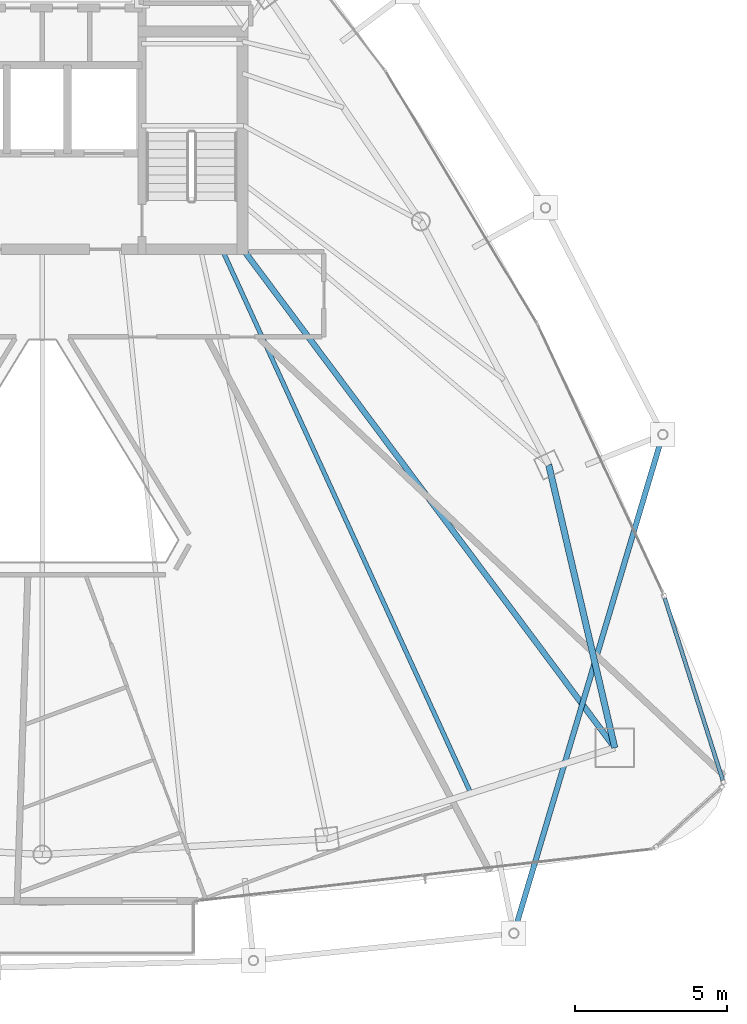
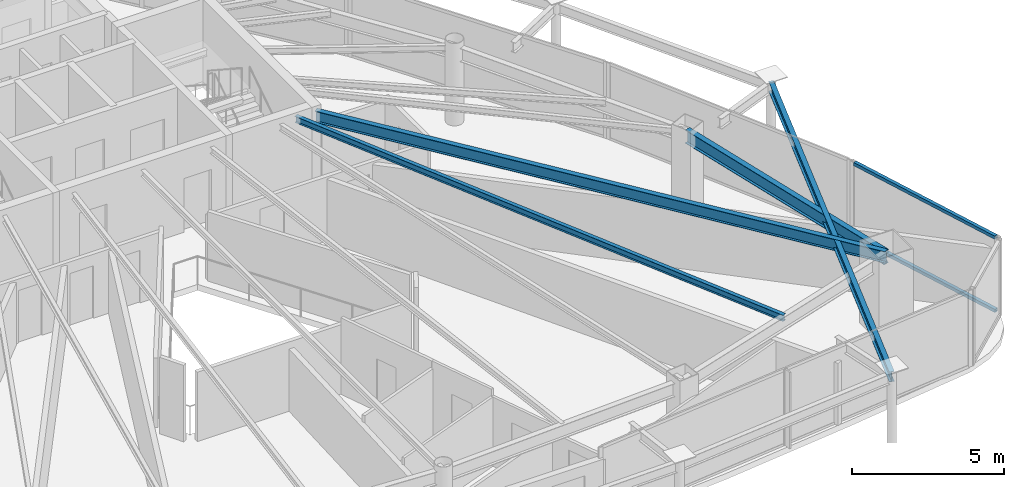
# One storey, part 15 of 29: 4 beams, 2 members, 1 element without a shape of its own.
"""IFC4 building model written with IfcOpenShell, lengths in metres."""

import ifcopenshell
import ifcopenshell.guid

model = None  # the IFC model being written
_history = None  # IfcOwnerHistory: only IFC2X3 demands one
_inside = {}  # id of a spatial element -> (the spatial element, [elements in it])
_under = {}  # id of a project, library or spatial element -> (it, [spatial elements below it])
_declared = {}  # id of a project -> (the project, [libraries it declares])
_typed = {}  # id of a type object -> (the type object, [elements of that type])
_made_of = {}  # id of a material, layer set ... -> (it, [elements and type objects made of it])


def new_model(schema):
    """Start an empty IFC model of exactly this schema.

    Asked for "IFC4X3", IfcOpenShell would pick the latest addendum, in which some entities
    have other attributes; the version numbers below select the first issue.
    IFC2X3 requires an IfcOwnerHistory on every rooted entity: one is made here for all.
    """
    global model, _history
    if schema == "IFC4X3":
        model = ifcopenshell.file(schema_version=(4, 3, 0, 0))
    else:
        model = ifcopenshell.file(schema=schema)
    _inside.clear()
    _under.clear()
    _declared.clear()
    _typed.clear()
    _made_of.clear()
    _history = None
    if model.schema == "IFC2X3":
        org = make("IfcOrganization", Name="unknown")
        user = make(
            "IfcPersonAndOrganization",
            ThePerson=make("IfcPerson", FamilyName="unknown"),
            TheOrganization=org,
        )
        app = make(
            "IfcApplication",
            ApplicationDeveloper=org,
            Version="unknown",
            ApplicationFullName="unknown",
            ApplicationIdentifier="unknown",
        )
        _history = make(
            "IfcOwnerHistory",
            OwningUser=user,
            OwningApplication=app,
            ChangeAction="ADDED",
            CreationDate=0,
        )
    return model


def make(cls, **values):
    """One entity of the class cls with the attributes given. An attribute that is None is left unset."""
    return model.create_entity(
        cls, **{name: value for name, value in values.items() if value is not None}
    )


def rooted(cls, **values):
    """An entity with a GlobalId (a new one), such as an element, a storey or a relation."""
    return make(cls, GlobalId=ifcopenshell.guid.new(), OwnerHistory=_history, **values)


def si_unit(unit_type, name, prefix=None):
    """IfcSIUnit, for example si_unit("LENGTHUNIT", "METRE", prefix="MILLI")."""
    return make("IfcSIUnit", UnitType=unit_type, Prefix=prefix, Name=name)


def assignment(units):
    """IfcUnitAssignment: the units of a project."""
    return None if units is None else make("IfcUnitAssignment", Units=units)


def point(xyz):
    """IfcCartesianPoint."""
    return None if xyz is None else make("IfcCartesianPoint", Coordinates=xyz)


def direction(xyz):
    """IfcDirection."""
    return None if xyz is None else make("IfcDirection", DirectionRatios=xyz)


def frame(location, z_axis=None, x_axis=None):
    """IfcAxis2Placement3D, a coordinate frame: its origin and axes. An axis left out is left unset."""
    return make(
        "IfcAxis2Placement3D",
        Location=point(location),
        Axis=direction(z_axis),
        RefDirection=direction(x_axis),
    )


def frame_2d(location, x_axis=None):
    """IfcAxis2Placement2D, a coordinate frame in the plane: its origin and x axis."""
    return make(
        "IfcAxis2Placement2D", Location=point(location), RefDirection=direction(x_axis)
    )


def origin():
    """The frame at (0, 0, 0) with its axes left unset."""
    return frame((0.0, 0.0, 0.0))


def origin_2d():
    """The frame at (0, 0) in the plane with its x axis left unset."""
    return frame_2d((0.0, 0.0))


def place(relative_to, where):
    """IfcLocalPlacement: puts the frame where relative to a parent placement (None: the world)."""
    return make(
        "IfcLocalPlacement", PlacementRelTo=relative_to, RelativePlacement=where
    )


def context(
    kind, dimensions, precision=None, world=None, true_north=None, identifier=None
):
    """IfcGeometricRepresentationContext, for example the 3D "Model" context."""
    return make(
        "IfcGeometricRepresentationContext",
        ContextIdentifier=identifier,
        ContextType=kind,
        CoordinateSpaceDimension=dimensions,
        Precision=precision,
        WorldCoordinateSystem=world,
        TrueNorth=true_north,
    )


def subcontext(parent, identifier, kind, view, scale=None):
    """IfcGeometricRepresentationSubContext, for example "Body" below "Model"."""
    return make(
        "IfcGeometricRepresentationSubContext",
        ContextIdentifier=identifier,
        ContextType=kind,
        ParentContext=parent,
        TargetScale=scale,
        TargetView=view,
    )


def project(units=None, contexts=None):
    """IfcProject with its units and contexts."""
    return rooted(
        "IfcProject",
        Name="project",
        RepresentationContexts=contexts,
        UnitsInContext=assignment(units),
    )


def spatial(cls, under=None, at=None, **own):
    """A site, building, storey or space (cls), placed at a placement, below another one or the project."""
    s = rooted(cls, ObjectPlacement=at, **own)
    if under is not None:
        _under.setdefault(under.id(), (under, []))[1].append(s)
    return s


def profile(cls, at=None, kind="AREA", **sizes):
    """A parametric profile (cls). Its sizes go by their IFC names, for example OverallWidth=200.0."""
    return make(cls, ProfileType=kind, Position=at, **sizes)


def hollow_rectangle(**sizes):
    """IfcRectangleHollowProfileDef."""
    return profile("IfcRectangleHollowProfileDef", **sizes)


def i_section(**sizes):
    """IfcIShapeProfileDef."""
    return profile("IfcIShapeProfileDef", **sizes)


def extrude(swept, where, along, depth):
    """IfcExtrudedAreaSolid: the profile swept, set in the frame where, extruded along a direction by depth."""
    return make(
        "IfcExtrudedAreaSolid",
        SweptArea=swept,
        Position=where,
        ExtrudedDirection=direction(along),
        Depth=depth,
    )


def shape(context_of_items, identifier, shape_type, items):
    """IfcShapeRepresentation: the items that make up one representation, for example the "Body"."""
    return make(
        "IfcShapeRepresentation",
        ContextOfItems=context_of_items,
        RepresentationIdentifier=identifier,
        RepresentationType=shape_type,
        Items=items,
    )


def material(Name=None, Category=None):
    """IfcMaterial."""
    return make("IfcMaterial", Name=Name, Category=Category)


def layer(
    of_material, thickness, ventilated=None, Name=None, Category=None, Priority=None
):
    """IfcMaterialLayer: one layer of a wall or slab, of a material (None: an air gap)."""
    return make(
        "IfcMaterialLayer",
        Material=of_material,
        LayerThickness=thickness,
        IsVentilated=ventilated,
        Name=Name,
        Category=Category,
        Priority=Priority,
    )


def layer_set(layers, Name=None):
    """IfcMaterialLayerSet."""
    return make("IfcMaterialLayerSet", MaterialLayers=layers, LayerSetName=Name)


def material_profile(
    of_material, cross_section, Name=None, Category=None, Priority=None
):
    """IfcMaterialProfile: a cross section and its material."""
    return make(
        "IfcMaterialProfile",
        Name=Name,
        Material=of_material,
        Profile=cross_section,
        Priority=Priority,
        Category=Category,
    )


def profile_set(profiles, Name=None, composite=None):
    """IfcMaterialProfileSet."""
    return make(
        "IfcMaterialProfileSet",
        Name=Name,
        MaterialProfiles=profiles,
        CompositeProfile=composite,
    )


def made_of(thing, what):
    """Note that an element or type object is made of a material, layer set ...; save() writes the relation."""
    if what is not None:
        _made_of.setdefault(what.id(), (what, []))[1].append(thing)
    return thing


def type_object(cls, material=None, **own):
    """A type object (cls), such as IfcWallType, which elements share."""
    return made_of(rooted(cls, **own), material)


def element(
    cls,
    number,
    at=None,
    inside=None,
    cuts=None,
    type_object=None,
    material=None,
    context=None,
    identifier="Body",
    shape_type=None,
    held_by="IfcProductDefinitionShape",
    body=None,
    shapes=None,
    **own,
):
    """One element of the class cls, such as IfcWall. Its Tag is "e" and its number.

    at: its placement. inside: the storey or other place that contains it. cuts: it is an
    opening in that element (IfcRelVoidsElement). A single representation is given by context,
    identifier, shape_type and body (its items); several are given by shapes. held_by: the class
    of the entity that holds the representations. save() writes the other relations.
    """
    e = rooted(cls, Tag="e%d" % number, ObjectPlacement=at, **own)
    if body is not None:
        shapes = [shape(context, identifier, shape_type, body)]
    if shapes is not None:
        e.Representation = make(held_by, Representations=shapes)
    if inside is not None:
        _inside.setdefault(inside.id(), (inside, []))[1].append(e)
    if cuts is not None:
        rooted(
            "IfcRelVoidsElement", RelatingBuildingElement=cuts, RelatedOpeningElement=e
        )
    if type_object is not None:
        _typed.setdefault(type_object.id(), (type_object, []))[1].append(e)
    return made_of(e, material)


def aggregate(whole, parts):
    """IfcRelAggregates: a whole, such as a stair, and the parts it consists of."""
    return rooted("IfcRelAggregates", RelatingObject=whole, RelatedObjects=parts)


def save(model, path):
    """Write the relations noted so far, then the file.

    IfcRelAggregates (storeys below a building ...), IfcRelContainedInSpatialStructure (elements
    in a storey), IfcRelDefinesByType, IfcRelAssociatesMaterial and IfcRelDeclares: one each for
    every whole, place, type object, material and project.
    """
    for whole, parts in _under.values():
        aggregate(whole, parts)
    for where, things in _inside.values():
        rooted(
            "IfcRelContainedInSpatialStructure",
            RelatedElements=things,
            RelatingStructure=where,
        )
    for kind, things in _typed.values():
        rooted("IfcRelDefinesByType", RelatedObjects=things, RelatingType=kind)
    for what, things in _made_of.values():
        rooted("IfcRelAssociatesMaterial", RelatedObjects=things, RelatingMaterial=what)
    for by, libraries in _declared.values():
        rooted("IfcRelDeclares", RelatingContext=by, RelatedDefinitions=libraries)
    model.write(path)


model = new_model("IFC4")

# Units and contexts
model_context = context("Model", 3, precision=1e-05, world=origin(), true_north=direction((0.0, 1.0)))
body_context = subcontext(model_context, "Body", "Model", "MODEL_VIEW")
ifc_project = project(units=[si_unit("LENGTHUNIT", "METRE"), si_unit("AREAUNIT", "SQUARE_METRE"), si_unit("VOLUMEUNIT", "CUBIC_METRE"), si_unit("PLANEANGLEUNIT", "RADIAN"), si_unit("MASSUNIT", "GRAM", prefix="KILO")], contexts=[model_context])

# Site, building, storey
site_placement = place(None, origin())
site = spatial("IfcSite", under=ifc_project, at=site_placement, CompositionType="ELEMENT")
building_placement = place(site_placement, origin())
building = spatial("IfcBuilding", under=site, at=building_placement, Name="Orvanel Arch Residences", CompositionType="ELEMENT")
storey_placement = place(building_placement, frame((0.0, 0.0, 246.949951171875)))
storey = spatial("IfcBuildingStorey", under=building, at=storey_placement, Name="L70", CompositionType="ELEMENT", Elevation=246.949951171875)

# Beams
ifc_material_1 = material(Name="Structural steel AS/NZS 3679.1 Grade 300 (300 MPa)", Category="steel")
ifc_material_profile_1 = material_profile(ifc_material_1, i_section(OverallWidth=0.19091796875, OverallDepth=0.4599609375, WebThickness=0.010009765625, FlangeThickness=0.01611328125, at=origin_2d()), Name="460UB82.1")
ifc_profile_set_1 = profile_set([ifc_material_profile_1], Name="Structural steel AS/NZS 3679.1 Grade 300 (300 MPa)")
beam_type_1 = type_object("IfcBeamType", Name="BG-460UB", PredefinedType="BEAM", material=ifc_profile_set_1)
beam_1_placement = place(storey_placement, frame((39.625, 26.675048828125, 2.830078125), z_axis=(0.597893733742, -0.801575375839, 0.0), x_axis=(0.801575375839, 0.597893733742, 0.0)))
element("IfcBeam", 1, at=beam_1_placement, inside=storey, type_object=beam_type_1, Name="L70 South-East Radial Girder", PredefinedType="BEAM", context=body_context, shape_type="SweptSolid", body=[
    extrude(i_section(OverallWidth=0.19091796875, OverallDepth=0.4599609375, WebThickness=0.010009765625, FlangeThickness=0.01611328125, at=origin_2d()), origin(), (0.0, 0.0, 1.0), 20.36474609375),
])
ifc_material_profile_2 = material_profile(ifc_material_1, i_section(OverallWidth=0.14599609375, OverallDepth=0.251953125, WebThickness=0.006103515625, FlangeThickness=0.008544921875, at=origin_2d()), Name="250UB31.4")
ifc_profile_set_2 = profile_set([ifc_material_profile_2], Name="Structural steel AS/NZS 3679.1 Grade 300 (300 MPa)")
beam_type_2 = type_object("IfcBeamType", Name="BJ-250UB", PredefinedType="JOIST", material=ifc_profile_set_2)
beam_2_placement = place(storey_placement, frame((38.89990234375, 26.72509765625, 2.93408203125), z_axis=(0.416009574066, -0.909360233508, 0.0), x_axis=(0.909360233508, 0.416009574066, 0.0)))
element("IfcBeam", 2, at=beam_2_placement, inside=storey, type_object=beam_type_2, Name="L70 JADD2 Wing Floor Joist", PredefinedType="JOIST", context=body_context, shape_type="SweptSolid", body=[
    extrude(i_section(OverallWidth=0.14599609375, OverallDepth=0.251953125, WebThickness=0.006103515625, FlangeThickness=0.008544921875, at=origin_2d()), origin(), (0.0, 0.0, 1.0), 19.653564453125),
])
ifc_material_profile_3 = material_profile(ifc_material_1, i_section(OverallWidth=0.177978515625, OverallDepth=0.406005859375, WebThickness=0.0078125, FlangeThickness=0.0126953125, at=origin_2d()), Name="410UB59.7")
ifc_profile_set_3 = profile_set([ifc_material_profile_3], Name="Structural steel AS/NZS 3679.1 Grade 300 (300 MPa)")
beam_type_3 = type_object("IfcBeamType", Name="OB-410UB-EXT", PredefinedType="SPANDREL", material=ifc_profile_set_3)
beam_3_placement = place(storey_placement, frame((48.488037109375, 4.258056640625, 2.85693359375), z_axis=(0.286129263921, 0.958191027055, 0.0), x_axis=(-0.958191027055, 0.286129263921, 0.0)))
element("IfcBeam", 3, at=beam_3_placement, inside=storey, type_object=beam_type_3, Name="L70 Outer Perimeter Floor Ring Beam 08", PredefinedType="SPANDREL", context=body_context, shape_type="SweptSolid", body=[
    extrude(i_section(OverallWidth=0.177978515625, OverallDepth=0.406005859375, WebThickness=0.0078125, FlangeThickness=0.0126953125, at=origin_2d()), origin(), (0.0, 0.0, 1.0), 17.0966796875),
])
ifc_material_profile_4 = material_profile(ifc_material_1, i_section(OverallWidth=0.208984375, OverallDepth=0.532958984375, WebThickness=0.01025390625, FlangeThickness=0.015625, at=origin_2d()), Name="530UB92.4")
ifc_profile_set_4 = profile_set([ifc_material_profile_4], Name="Structural steel AS/NZS 3679.1 Grade 300 (300 MPa)")
beam_type_4 = type_object("IfcBeamType", Name="SP-530UB", PredefinedType="SPANDREL", material=ifc_profile_set_4)
beam_4_placement = place(storey_placement, frame((51.801025390625, 10.35107421875, 2.79296875), z_axis=(-0.227236087167, 0.973839699688, 0.0), x_axis=(-0.973839699688, -0.227236087167, 0.0)))
element("IfcBeam", 4, at=beam_4_placement, inside=storey, type_object=beam_type_4, Name="L70 Perimeter Spandrel Beam 06", PredefinedType="SPANDREL", context=body_context, shape_type="SweptSolid", body=[
    extrude(i_section(OverallWidth=0.208984375, OverallDepth=0.532958984375, WebThickness=0.01025390625, FlangeThickness=0.015625, at=origin_2d()), origin(), (0.0, 0.0, 1.0), 9.54052734375),
])

# Curtain wall, members
ifc_material_2 = material(Name="Bronze-anodised aluminium AA6063-T6", Category="aluminium")
ifc_layer = layer(ifc_material_2, 0.18994140625)
ifc_layer_set = layer_set([ifc_layer], Name="Bronze-anodised aluminium AA6063-T6")
curtain_wall_type = type_object("IfcCurtainWallType", Name="CW5-CRN-SYS", PredefinedType="NOTDEFINED", material=ifc_layer_set)
curtain_wall_placement = place(storey_placement, origin())
curtain_wall = element("IfcCurtainWall", 5, at=curtain_wall_placement, inside=storey, type_object=curtain_wall_type, Name="L70 CW5-CRN-SYS Unitised Curtain Wall", PredefinedType="NOTDEFINED")
ifc_material_profile_5 = material_profile(ifc_material_2, hollow_rectangle(XDim=0.1298828125, YDim=0.1298828125, WallThickness=0.00439453125, at=origin_2d()), Name="ALU130x130x4.5")
ifc_profile_set_5 = profile_set([ifc_material_profile_5], Name="Bronze-anodised aluminium AA6063-T6")
member_type = type_object("IfcMemberType", Name="TRN-130x130", PredefinedType="USERDEFINED", material=ifc_profile_set_5)
member_1_placement = place(storey_placement, frame((55.348388671875, 9.288818359375, 0.06494140625), z_axis=(-0.303579838033, 0.952806004358, 0.0), x_axis=(-0.952806004358, -0.303579838033, 0.0)))
member_1 = element("IfcMember", 6, at=member_1_placement, type_object=member_type, Name="CW-S5 transom 1.1", ObjectType="TRANSOM", PredefinedType="USERDEFINED", context=body_context, shape_type="SweptSolid", body=[
    extrude(hollow_rectangle(XDim=0.1298828125, YDim=0.1298828125, WallThickness=0.00439453125, at=origin_2d()), origin(), (0.0, 0.0, 1.0), 6.26806640625),
])
member_2_placement = place(storey_placement, frame((55.348388671875, 9.288818359375, 2.9951171875), z_axis=(-0.303579838033, 0.952806004358, 0.0), x_axis=(-0.952806004358, -0.303579838033, 0.0)))
member_2 = element("IfcMember", 7, at=member_2_placement, type_object=member_type, Name="CW-S5 transom 1.2", ObjectType="TRANSOM", PredefinedType="USERDEFINED", context=body_context, shape_type="SweptSolid", body=[
    extrude(hollow_rectangle(XDim=0.1298828125, YDim=0.1298828125, WallThickness=0.00439453125, at=origin_2d()), origin(), (0.0, 0.0, 1.0), 6.26806640625),
])
aggregate(curtain_wall, [member_1, member_2])

save(model, "model.ifc")
